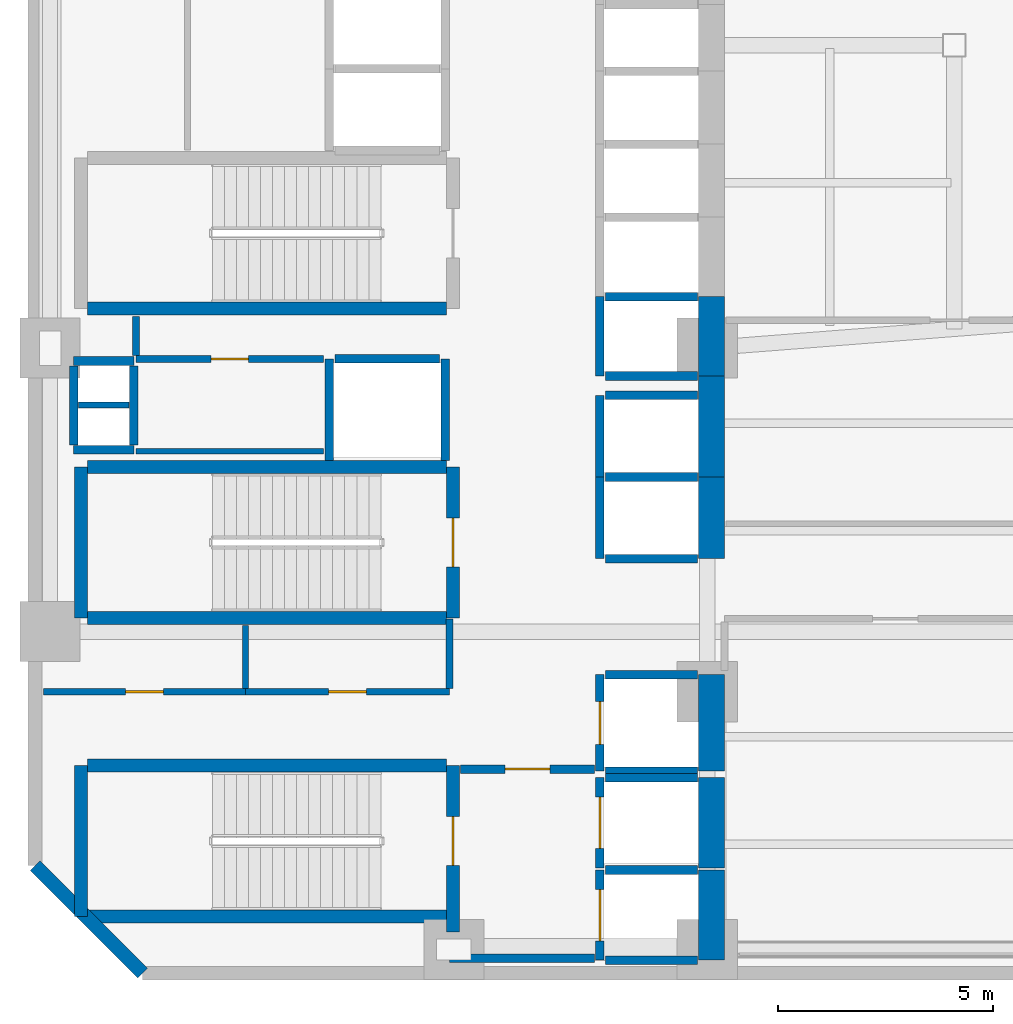
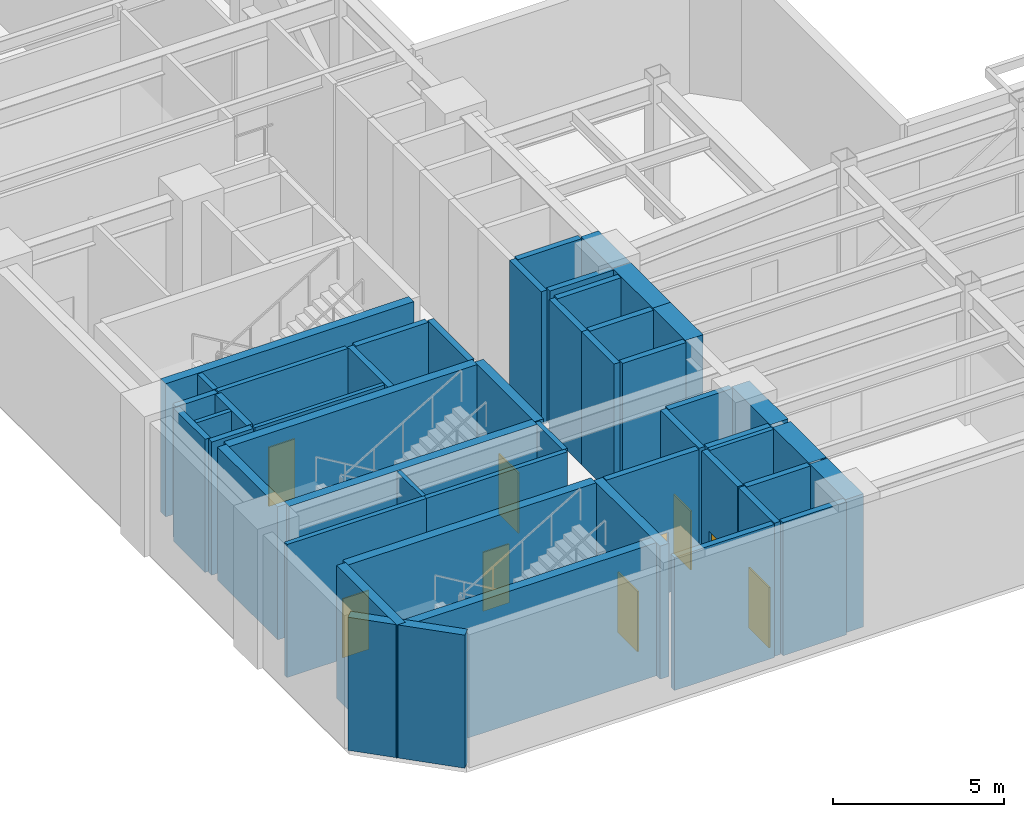
# One storey, part 3 of 7: 49 walls, 9 doors, 9 openings.
"""IFC4 building model written with IfcOpenShell, lengths in metres."""

from ifc_helpers import new_model, si_unit, direction, frame, frame_2d, origin, place, context, subcontext, project, spatial, rectangle, extrude, material, layer, layer_set, type_object, element, fill, save


model = new_model("IFC4")

# Units and contexts
model_context = context("Model", 3, precision=1e-05, world=origin(), true_north=direction((0.0, 1.0)))
body_context = subcontext(model_context, "Body", "Model", "MODEL_VIEW")
ifc_project = project(units=[si_unit("LENGTHUNIT", "METRE"), si_unit("AREAUNIT", "SQUARE_METRE"), si_unit("VOLUMEUNIT", "CUBIC_METRE"), si_unit("PLANEANGLEUNIT", "RADIAN"), si_unit("MASSUNIT", "GRAM", prefix="KILO")], contexts=[model_context])

# Site, building, storey
site_placement = place(None, origin())
site = spatial("IfcSite", under=ifc_project, at=site_placement, CompositionType="ELEMENT")
building_placement = place(site_placement, origin())
building = spatial("IfcBuilding", under=site, at=building_placement, Name="Mawjaban Terraces University", CompositionType="ELEMENT")
storey_placement = place(building_placement, frame((0.0, 0.0, 93.39990234375)))
storey = spatial("IfcBuildingStorey", under=building, at=storey_placement, Name="L22", CompositionType="ELEMENT", Elevation=93.39990234375)

# Walls
ifc_material_1 = material(Name="Concrete C70/85", Category="concrete")
ifc_layer_1 = layer(ifc_material_1, 0.60009765625)
ifc_layer_set_1 = layer_set([ifc_layer_1], Name="Concrete C70/85")
wall_type_1 = type_object("IfcWallType", Name="CoreShearWall_600", PredefinedType="SHEAR", material=ifc_layer_set_1)
wall_1_placement = place(storey_placement, frame((37.75, 0.300048828125, 0.0), z_axis=(0.0, 0.0, 1.0), x_axis=(0.0, 1.0, 0.0)))
element("IfcWall", 1, at=wall_1_placement, inside=storey, type_object=wall_type_1, Name="L22 Lift FL-1 Hoistway Wall East", PredefinedType="SHEAR", context=body_context, shape_type="SweptSolid", body=[
    extrude(rectangle(XDim=2.099853515625, YDim=0.60009765625, at=frame_2d((1.0498046875, 0.0))), origin(), (0.0, 0.0, 1.0), 4.739990234375),
])
wall_2_placement = place(storey_placement, frame((37.75, 2.449951171875, 0.0), z_axis=(0.0, 0.0, 1.0), x_axis=(0.0, 1.0, 0.0)))
element("IfcWall", 2, at=wall_2_placement, inside=storey, type_object=wall_type_1, Name="L22 Lift FL-2 Hoistway Wall East", PredefinedType="SHEAR", context=body_context, shape_type="SweptSolid", body=[
    extrude(rectangle(XDim=2.10009765625, YDim=0.60009765625, at=frame_2d((1.050048828125, 0.0))), origin(), (0.0, 0.0, 1.0), 4.739990234375),
])
wall_3_placement = place(storey_placement, frame((37.75, 4.699951171875, 0.0), z_axis=(0.0, 0.0, 1.0), x_axis=(0.0, 1.0, 0.0)))
element("IfcWall", 3, at=wall_3_placement, inside=storey, type_object=wall_type_1, Name="L22 Lift SL-1 Hoistway Wall East", PredefinedType="SHEAR", context=body_context, shape_type="SweptSolid", body=[
    extrude(rectangle(XDim=2.25, YDim=0.60009765625, at=frame_2d((1.125, 0.0))), origin(), (0.0, 0.0, 1.0), 4.739990234375),
])
wall_4_placement = place(storey_placement, frame((37.75, 9.64990234375, 0.0), z_axis=(0.0, 0.0, 1.0), x_axis=(0.0, 1.0, 0.0)))
element("IfcWall", 4, at=wall_4_placement, inside=storey, type_object=wall_type_1, Name="L22 Lift PL-H1 Hoistway Wall East", PredefinedType="SHEAR", context=body_context, shape_type="SweptSolid", body=[
    extrude(rectangle(XDim=1.900146484375, YDim=0.60009765625, at=frame_2d((0.9501953125, 0.0))), origin(), (0.0, 0.0, 1.0), 4.739990234375),
])
wall_5_placement = place(storey_placement, frame((37.75, 11.550048828125, 0.0), z_axis=(0.0, 0.0, 1.0), x_axis=(0.0, 1.0, 0.0)))
element("IfcWall", 5, at=wall_5_placement, inside=storey, type_object=wall_type_1, Name="L22 Lift PL-H2 Hoistway Wall East", PredefinedType="SHEAR", context=body_context, shape_type="SweptSolid", body=[
    extrude(rectangle(XDim=2.349853515625, YDim=0.60009765625, at=frame_2d((1.1748046875, 0.0))), origin(), (0.0, 0.0, 1.0), 4.739990234375),
])
wall_6_placement = place(storey_placement, frame((37.75, 13.89990234375, 0.0), z_axis=(0.0, 0.0, 1.0), x_axis=(0.0, 1.0, 0.0)))
element("IfcWall", 6, at=wall_6_placement, inside=storey, type_object=wall_type_1, Name="L22 Lift OL-1 Hoistway Wall East", PredefinedType="SHEAR", context=body_context, shape_type="SweptSolid", body=[
    extrude(rectangle(XDim=1.85009765625, YDim=0.60009765625, at=frame_2d((0.925048828125, 0.0))), origin(), (0.0, 0.0, 1.0), 4.739990234375),
])

# Wall, opening, door
ifc_material_2 = material(Name="Fire-rated gypsum board on steel stud", Category="steel")
ifc_layer_2 = layer(ifc_material_2, 0.159912109375)
ifc_layer_set_2 = layer_set([ifc_layer_2], Name="Fire-rated gypsum board on steel stud")
wall_type_2 = type_object("IfcWallType", Name="CorridorPartition_160", PredefinedType="PARTITIONING", material=ifc_layer_set_2)
wall_7_placement = place(storey_placement, frame((24.35009765625, 14.300048828125, 0.0), z_axis=(0.0, 0.0, 1.0), x_axis=(1.0, 0.0, 0.0)))
wall_7 = element("IfcWall", 7, at=wall_7_placement, inside=storey, type_object=wall_type_2, Name="L22 Core Riser Access Passage Partition 2", PredefinedType="PARTITIONING", context=body_context, shape_type="SweptSolid", body=[
    extrude(rectangle(XDim=4.369873046875, YDim=0.159912109375, at=frame_2d((2.18505859375, 0.0))), origin(), (0.0, 0.0, 1.0), 4.739990234375),
])
opening_1_placement = place(wall_7_placement, frame((1.7451171875, 0.0, 0.0)))
opening_1 = element("IfcOpeningElement", 8, at=opening_1_placement, cuts=wall_7, Name="Opening ID-088", PredefinedType="OPENING", context=body_context, shape_type="SweptSolid", body=[
    extrude(rectangle(XDim=0.8798828125, YDim=2.10009765625, at=frame_2d((0.43994140625, 1.050048828125))), frame((0.0, 0.08984375, 0.0), z_axis=(0.0, -1.0, 0.0), x_axis=(1.0, 0.0, 0.0)), (0.0, 0.0, 1.0), 0.179931640625),
])
ifc_material_3 = material(Name="Powder-coated steel frame and solid acoustic timber leaf", Category="steel")
door_type_1 = type_object("IfcDoorType", Name="ToiletDoor_880x2100", OperationType="NOTDEFINED", PredefinedType="DOOR", material=ifc_material_3)
door_1_placement = place(opening_1_placement, origin())
door_1 = element("IfcDoor", 9, at=door_1_placement, inside=storey, type_object=door_type_1, Name="L22 Ablution Room Door", OperationType="SINGLE_SWING_LEFT", OverallHeight=2.10009765625, OverallWidth=0.8798828125, PredefinedType="DOOR", context=body_context, shape_type="SweptSolid", body=[
    extrude(rectangle(XDim=0.8798828125, YDim=2.10009765625, at=frame_2d((0.43994140625, 1.050048828125))), frame((0.0, 0.02490234375, 0.0), z_axis=(0.0, -1.0, 0.0), x_axis=(1.0, 0.0, 0.0)), (0.0, 0.0, 1.0), 0.050048828125),
])
fill(opening_1, door_1)

wall_8_placement = place(storey_placement, frame((26.89990234375, 6.550048828125, 0.0), z_axis=(0.0, 0.0, 1.0), x_axis=(-1.0, 0.0, 0.0)))
wall_8 = element("IfcWall", 10, at=wall_8_placement, inside=storey, type_object=wall_type_2, Name="L22 Core Washroom Lobby Partition 4", PredefinedType="PARTITIONING", context=body_context, shape_type="SweptSolid", body=[
    extrude(rectangle(XDim=4.699951171875, YDim=0.159912109375, at=frame_2d((2.35009765625, 0.0))), origin(), (0.0, 0.0, 1.0), 4.739990234375),
])
opening_2_placement = place(wall_8_placement, frame((1.909912109375, 0.0, 0.0)))
opening_2 = element("IfcOpeningElement", 11, at=opening_2_placement, cuts=wall_8, Name="Opening ID-088", PredefinedType="OPENING", context=body_context, shape_type="SweptSolid", body=[
    extrude(rectangle(XDim=0.8798828125, YDim=2.10009765625, at=frame_2d((0.43994140625, 1.050048828125))), frame((0.0, 0.08984375, 0.0), z_axis=(0.0, -1.0, 0.0), x_axis=(1.0, 0.0, 0.0)), (0.0, 0.0, 1.0), 0.179931640625),
])
door_2_placement = place(opening_2_placement, origin())
door_2 = element("IfcDoor", 12, at=door_2_placement, inside=storey, type_object=door_type_1, Name="L22 Male Toilet Door", OperationType="SINGLE_SWING_LEFT", OverallHeight=2.10009765625, OverallWidth=0.8798828125, PredefinedType="DOOR", context=body_context, shape_type="SweptSolid", body=[
    extrude(rectangle(XDim=0.8798828125, YDim=2.10009765625, at=frame_2d((0.43994140625, 1.050048828125))), frame((0.0, 0.02490234375, 0.0), z_axis=(0.0, -1.0, 0.0), x_axis=(1.0, 0.0, 0.0)), (0.0, 0.0, 1.0), 0.050048828125),
])
fill(opening_2, door_2)

wall_9_placement = place(storey_placement, frame((31.64990234375, 6.550048828125, 0.0), z_axis=(0.0, 0.0, 1.0), x_axis=(-1.0, 0.0, 0.0)))
wall_9 = element("IfcWall", 13, at=wall_9_placement, inside=storey, type_object=wall_type_2, Name="L22 Core Washroom Lobby Partition 8", PredefinedType="PARTITIONING", context=body_context, shape_type="SweptSolid", body=[
    extrude(rectangle(XDim=4.75, YDim=0.159912109375, at=frame_2d((2.375, 0.0))), origin(), (0.0, 0.0, 1.0), 4.739990234375),
])
opening_3_placement = place(wall_9_placement, frame((1.93505859375, 0.0, 0.0)))
opening_3 = element("IfcOpeningElement", 14, at=opening_3_placement, cuts=wall_9, Name="Opening ID-088", PredefinedType="OPENING", context=body_context, shape_type="SweptSolid", body=[
    extrude(rectangle(XDim=0.8798828125, YDim=2.10009765625, at=frame_2d((0.43994140625, 1.050048828125))), frame((0.0, 0.08984375, 0.0), z_axis=(0.0, -1.0, 0.0), x_axis=(1.0, 0.0, 0.0)), (0.0, 0.0, 1.0), 0.179931640625),
])
door_3_placement = place(opening_3_placement, origin())
door_3 = element("IfcDoor", 15, at=door_3_placement, inside=storey, type_object=door_type_1, Name="L22 Accessible Toilet Door", OperationType="SINGLE_SWING_RIGHT", OverallHeight=2.10009765625, OverallWidth=0.8798828125, PredefinedType="DOOR", context=body_context, shape_type="SweptSolid", body=[
    extrude(rectangle(XDim=0.8798828125, YDim=2.10009765625, at=frame_2d((0.43994140625, 1.050048828125))), frame((0.0, 0.02490234375, 0.0), z_axis=(0.0, -1.0, 0.0), x_axis=(1.0, 0.0, 0.0)), (0.0, 0.0, 1.0), 0.050048828125),
])
fill(opening_3, door_3)

# Walls
wall_10_placement = place(storey_placement, frame((24.35009765625, 15.2900390625, 0.0), z_axis=(0.0, 0.0, 1.0), x_axis=(0.0, -1.0, 0.0)))
element("IfcWall", 16, at=wall_10_placement, inside=storey, type_object=wall_type_2, Name="L22 Core Riser Access Passage Partition 19", PredefinedType="PARTITIONING", context=body_context, shape_type="SweptSolid", body=[
    extrude(rectangle(XDim=0.9150390625, YDim=0.159912109375, at=frame_2d((0.45751953125, 0.0))), origin(), (0.0, 0.0, 1.0), 4.739990234375),
])
wall_11_placement = place(storey_placement, frame((31.64990234375, 8.239990234375, 0.0), z_axis=(0.0, 0.0, 1.0), x_axis=(0.0, -1.0, 0.0)))
element("IfcWall", 17, at=wall_11_placement, inside=storey, type_object=wall_type_2, Name="L22 Passenger Lift Lobby Partition 23", PredefinedType="PARTITIONING", context=body_context, shape_type="SweptSolid", body=[
    extrude(rectangle(XDim=1.614990234375, YDim=0.159912109375, at=frame_2d((0.8076171875, 0.0))), origin(), (0.0, 0.0, 1.0), 4.739990234375),
])
ifc_material_4 = material(Name="Insulated terracotta rainscreen on concrete backup C40/50", Category="masonry")
ifc_layer_3 = layer(ifc_material_4, 0.320068359375)
ifc_layer_set_3 = layer_set([ifc_layer_3], Name="Insulated terracotta rainscreen on concrete backup C40/50")
wall_type_3 = type_object("IfcWallType", Name="ExtTerracottaWall_320", PredefinedType="SOLIDWALL", material=ifc_layer_set_3)
wall_12_placement = place(storey_placement, frame((22.0, 2.5, 0.0), z_axis=(0.0, 0.0, 1.0), x_axis=(0.707106781187, -0.707106781187, 0.0)))
element("IfcWall", 18, at=wall_12_placement, inside=storey, type_object=wall_type_3, Name="L22 Exterior Terracotta Wall 14", PredefinedType="SOLIDWALL", context=body_context, shape_type="SweptSolid", body=[
    extrude(rectangle(XDim=3.53564453125, YDim=0.320068359375, at=frame_2d((1.767822265625, 0.0))), origin(), (0.0, 0.0, 1.0), 4.739990234375),
])

# Wall, opening, door
ifc_material_5 = material(Name="Concrete C40/50", Category="concrete")
ifc_layer_4 = layer(ifc_material_5, 0.199951171875)
ifc_layer_set_4 = layer_set([ifc_layer_4], Name="Concrete C40/50")
wall_type_4 = type_object("IfcWallType", Name="FireLobbyWall_200", PredefinedType="SOLIDWALL", material=ifc_layer_set_4)
wall_13_placement = place(storey_placement, frame((35.14990234375, 2.39990234375, 0.0), z_axis=(0.0, 0.0, 1.0), x_axis=(0.0, -1.0, 0.0)))
wall_13 = element("IfcWall", 19, at=wall_13_placement, inside=storey, type_object=wall_type_4, Name="L22 Lift FL-1 Hoistway Wall West", PredefinedType="SOLIDWALL", context=body_context, shape_type="SweptSolid", body=[
    extrude(rectangle(XDim=2.099853515625, YDim=0.199951171875, at=frame_2d((1.0498046875, 0.0))), origin(), (0.0, 0.0, 1.0), 4.739990234375),
])
opening_4_placement = place(wall_13_placement, frame((0.449951171875, 0.0, 0.0)))
opening_4 = element("IfcOpeningElement", 20, at=opening_4_placement, cuts=wall_13, Name="Opening LD-FL-1", PredefinedType="OPENING", context=body_context, shape_type="SweptSolid", body=[
    extrude(rectangle(XDim=1.199951171875, YDim=2.14990234375, at=frame_2d((0.60009765625, 1.074951171875))), frame((0.0, 0.10986328125, 0.0), z_axis=(0.0, -1.0, 0.0), x_axis=(1.0, 0.0, 0.0)), (0.0, 0.0, 1.0), 0.219970703125),
])
ifc_material_6 = material(Name="Powder-coated steel frame and fire-rated steel-faced leaf", Category="steel")
door_type_2 = type_object("IfcDoorType", Name="LiftLandingFSAE_1200x2150", OperationType="NOTDEFINED", PredefinedType="DOOR", material=ifc_material_6)
door_4_placement = place(opening_4_placement, origin())
door_4 = element("IfcDoor", 21, at=door_4_placement, inside=storey, type_object=door_type_2, Name="L22 Lift FL-1 Sliding Landing Door", OperationType="DOUBLE_DOOR_SLIDING", OverallHeight=2.14990234375, OverallWidth=1.199951171875, PredefinedType="DOOR", context=body_context, shape_type="SweptSolid", body=[
    extrude(rectangle(XDim=1.199951171875, YDim=2.14990234375, at=frame_2d((0.60009765625, 1.074951171875))), frame((0.0, 0.02490234375, 0.0), z_axis=(0.0, -1.0, 0.0), x_axis=(1.0, 0.0, 0.0)), (0.0, 0.0, 1.0), 0.050048828125),
])
fill(opening_4, door_4)

# Walls
for number, where, z_axis, x_axis, name in (
    (22, (35.280029296875, 0.300048828125, 0.0), (0.0, 0.0, 1.0), (1.0, 0.0, 0.0), "L22 Lift FL-1 Hoistway Wall South"),
    (23, (37.419921875, 2.39990234375, 0.0), (0.0, 0.0, 1.0), (-1.0, 0.0, 0.0), "L22 Lift FL-1 Hoistway Wall North"),
):
    element("IfcWall", number, at=place(storey_placement, frame(where, z_axis=z_axis, x_axis=x_axis)), inside=storey, type_object=wall_type_4, Name=name, PredefinedType="SOLIDWALL", context=body_context, shape_type="SweptSolid", body=[
        extrude(rectangle(XDim=2.139892578125, YDim=0.199951171875, at=frame_2d((1.06982421875, 0.0))), origin(), (0.0, 0.0, 1.0), 4.739990234375),
    ])

# Wall, opening, door
wall_14_placement = place(storey_placement, frame((35.14990234375, 4.550048828125, 0.0), z_axis=(0.0, 0.0, 1.0), x_axis=(0.0, -1.0, 0.0)))
wall_14 = element("IfcWall", 24, at=wall_14_placement, inside=storey, type_object=wall_type_4, Name="L22 Lift FL-2 Hoistway Wall West", PredefinedType="SOLIDWALL", context=body_context, shape_type="SweptSolid", body=[
    extrude(rectangle(XDim=2.10009765625, YDim=0.199951171875, at=frame_2d((1.050048828125, 0.0))), origin(), (0.0, 0.0, 1.0), 4.739990234375),
])
opening_5_placement = place(wall_14_placement, frame((0.449951171875, 0.0, 0.0)))
opening_5 = element("IfcOpeningElement", 25, at=opening_5_placement, cuts=wall_14, Name="Opening LD-FL-2", PredefinedType="OPENING", context=body_context, shape_type="SweptSolid", body=[
    extrude(rectangle(XDim=1.199951171875, YDim=2.14990234375, at=frame_2d((0.60009765625, 1.074951171875))), frame((0.0, 0.10986328125, 0.0), z_axis=(0.0, -1.0, 0.0), x_axis=(1.0, 0.0, 0.0)), (0.0, 0.0, 1.0), 0.219970703125),
])
door_5_placement = place(opening_5_placement, origin())
door_5 = element("IfcDoor", 26, at=door_5_placement, inside=storey, type_object=door_type_2, Name="L22 Lift FL-2 Sliding Landing Door", OperationType="DOUBLE_DOOR_SLIDING", OverallHeight=2.14990234375, OverallWidth=1.199951171875, PredefinedType="DOOR", context=body_context, shape_type="SweptSolid", body=[
    extrude(rectangle(XDim=1.199951171875, YDim=2.14990234375, at=frame_2d((0.60009765625, 1.074951171875))), frame((0.0, 0.02490234375, 0.0), z_axis=(0.0, -1.0, 0.0), x_axis=(1.0, 0.0, 0.0)), (0.0, 0.0, 1.0), 0.050048828125),
])
fill(opening_5, door_5)

# Wall
wall_15_placement = place(storey_placement, frame((37.419921875, 4.550048828125, 0.0), z_axis=(0.0, 0.0, 1.0), x_axis=(-1.0, 0.0, 0.0)))
element("IfcWall", 27, at=wall_15_placement, inside=storey, type_object=wall_type_4, Name="L22 Lift FL-2 Hoistway Wall North", PredefinedType="SOLIDWALL", context=body_context, shape_type="SweptSolid", body=[
    extrude(rectangle(XDim=2.139892578125, YDim=0.199951171875, at=frame_2d((1.06982421875, 0.0))), origin(), (0.0, 0.0, 1.0), 4.739990234375),
])

# Wall, opening, door
wall_16_placement = place(storey_placement, frame((35.14990234375, 6.949951171875, 0.0), z_axis=(0.0, 0.0, 1.0), x_axis=(0.0, -1.0, 0.0)))
wall_16 = element("IfcWall", 28, at=wall_16_placement, inside=storey, type_object=wall_type_4, Name="L22 Lift SL-1 Hoistway Wall West", PredefinedType="SOLIDWALL", context=body_context, shape_type="SweptSolid", body=[
    extrude(rectangle(XDim=2.25, YDim=0.199951171875, at=frame_2d((1.125, 0.0))), origin(), (0.0, 0.0, 1.0), 4.739990234375),
])
opening_6_placement = place(wall_16_placement, frame((0.625, 0.0, 0.0)))
opening_6 = element("IfcOpeningElement", 29, at=opening_6_placement, cuts=wall_16, Name="Opening LD-SL-1", PredefinedType="OPENING", context=body_context, shape_type="SweptSolid", body=[
    extrude(rectangle(XDim=1.0, YDim=2.10009765625, at=frame_2d((0.5, 1.050048828125))), frame((0.0, 0.10986328125, 0.0), z_axis=(0.0, -1.0, 0.0), x_axis=(1.0, 0.0, 0.0)), (0.0, 0.0, 1.0), 0.219970703125),
])
door_type_3 = type_object("IfcDoorType", Name="LiftLandingSliding_1000x2100", OperationType="NOTDEFINED", PredefinedType="DOOR", material=ifc_material_6)
door_6_placement = place(opening_6_placement, origin())
door_6 = element("IfcDoor", 30, at=door_6_placement, inside=storey, type_object=door_type_3, Name="L22 Lift SL-1 Sliding Landing Door", OperationType="DOUBLE_DOOR_SLIDING", OverallHeight=2.10009765625, OverallWidth=1.0, PredefinedType="DOOR", context=body_context, shape_type="SweptSolid", body=[
    extrude(rectangle(XDim=1.0, YDim=2.10009765625, at=frame_2d((0.5, 1.050048828125))), frame((0.0, 0.02490234375, 0.0), z_axis=(0.0, -1.0, 0.0), x_axis=(1.0, 0.0, 0.0)), (0.0, 0.0, 1.0), 0.050048828125),
])
fill(opening_6, door_6)

# Walls
for number, where, z_axis, x_axis, name in (
    (31, (35.280029296875, 4.699951171875, 0.0), (0.0, 0.0, 1.0), (1.0, 0.0, 0.0), "L22 Lift SL-1 Hoistway Wall South"),
    (32, (37.419921875, 6.949951171875, 0.0), (0.0, 0.0, 1.0), (-1.0, 0.0, 0.0), "L22 Lift SL-1 Hoistway Wall North"),
):
    element("IfcWall", number, at=place(storey_placement, frame(where, z_axis=z_axis, x_axis=x_axis)), inside=storey, type_object=wall_type_4, Name=name, PredefinedType="SOLIDWALL", context=body_context, shape_type="SweptSolid", body=[
        extrude(rectangle(XDim=2.139892578125, YDim=0.199951171875, at=frame_2d((1.06982421875, 0.0))), origin(), (0.0, 0.0, 1.0), 4.739990234375),
    ])
wall_17_placement = place(storey_placement, frame((35.14990234375, 11.550048828125, 0.0), z_axis=(0.0, 0.0, 1.0), x_axis=(0.0, -1.0, 0.0)))
element("IfcWall", 33, at=wall_17_placement, inside=storey, type_object=wall_type_4, Name="L22 Lift PL-H1 Hoistway Wall West", PredefinedType="SOLIDWALL", context=body_context, shape_type="SweptSolid", body=[
    extrude(rectangle(XDim=1.900146484375, YDim=0.199951171875, at=frame_2d((0.9501953125, 0.0))), origin(), (0.0, 0.0, 1.0), 4.739990234375),
])
for number, where, z_axis, x_axis, name in (
    (34, (35.280029296875, 9.64990234375, 0.0), (0.0, 0.0, 1.0), (1.0, 0.0, 0.0), "L22 Lift PL-H1 Hoistway Wall South"),
    (35, (37.419921875, 11.550048828125, 0.0), (0.0, 0.0, 1.0), (-1.0, 0.0, 0.0), "L22 Lift PL-H1 Hoistway Wall North"),
):
    element("IfcWall", number, at=place(storey_placement, frame(where, z_axis=z_axis, x_axis=x_axis)), inside=storey, type_object=wall_type_4, Name=name, PredefinedType="SOLIDWALL", context=body_context, shape_type="SweptSolid", body=[
        extrude(rectangle(XDim=2.139892578125, YDim=0.199951171875, at=frame_2d((1.06982421875, 0.0))), origin(), (0.0, 0.0, 1.0), 4.739990234375),
    ])
wall_18_placement = place(storey_placement, frame((35.14990234375, 13.449951171875, 0.0), z_axis=(0.0, 0.0, 1.0), x_axis=(0.0, -1.0, 0.0)))
element("IfcWall", 36, at=wall_18_placement, inside=storey, type_object=wall_type_4, Name="L22 Lift PL-H2 Hoistway Wall West", PredefinedType="SOLIDWALL", context=body_context, shape_type="SweptSolid", body=[
    extrude(rectangle(XDim=1.89990234375, YDim=0.199951171875, at=frame_2d((0.949951171875, 0.0))), origin(), (0.0, 0.0, 1.0), 4.739990234375),
])
wall_19_placement = place(storey_placement, frame((37.419921875, 13.449951171875, 0.0), z_axis=(0.0, 0.0, 1.0), x_axis=(-1.0, 0.0, 0.0)))
element("IfcWall", 37, at=wall_19_placement, inside=storey, type_object=wall_type_4, Name="L22 Lift PL-H2 Hoistway Wall North", PredefinedType="SOLIDWALL", context=body_context, shape_type="SweptSolid", body=[
    extrude(rectangle(XDim=2.139892578125, YDim=0.199951171875, at=frame_2d((1.06982421875, 0.0))), origin(), (0.0, 0.0, 1.0), 4.739990234375),
])
for number, where, z_axis, x_axis, name in (
    (38, (28.85009765625, 14.300048828125, 0.0), (0.0, 0.0, 1.0), (0.0, -1.0, 0.0), "L22 Lift PL-H3 Hoistway Wall West"),
    (39, (31.550048828125, 11.929931640625, 0.0), (0.0, 0.0, 1.0), (0.0, 1.0, 0.0), "L22 Lift PL-H3 Hoistway Wall East"),
):
    element("IfcWall", number, at=place(storey_placement, frame(where, z_axis=z_axis, x_axis=x_axis)), inside=storey, type_object=wall_type_4, Name=name, PredefinedType="SOLIDWALL", context=body_context, shape_type="SweptSolid", body=[
        extrude(rectangle(XDim=2.3701171875, YDim=0.199951171875, at=frame_2d((1.18505859375, 0.0))), origin(), (0.0, 0.0, 1.0), 4.739990234375),
    ])
wall_20_placement = place(storey_placement, frame((31.419921875, 14.300048828125, 0.0), z_axis=(0.0, 0.0, 1.0), x_axis=(-1.0, 0.0, 0.0)))
element("IfcWall", 40, at=wall_20_placement, inside=storey, type_object=wall_type_4, Name="L22 Lift PL-H3 Hoistway Wall North", PredefinedType="SOLIDWALL", context=body_context, shape_type="SweptSolid", body=[
    extrude(rectangle(XDim=2.43994140625, YDim=0.199951171875, at=frame_2d((1.219970703125, 0.0))), origin(), (0.0, 0.0, 1.0), 4.739990234375),
])
wall_21_placement = place(storey_placement, frame((35.14990234375, 15.75, 0.0), z_axis=(0.0, 0.0, 1.0), x_axis=(0.0, -1.0, 0.0)))
element("IfcWall", 41, at=wall_21_placement, inside=storey, type_object=wall_type_4, Name="L22 Lift OL-1 Hoistway Wall West", PredefinedType="SOLIDWALL", context=body_context, shape_type="SweptSolid", body=[
    extrude(rectangle(XDim=1.85009765625, YDim=0.199951171875, at=frame_2d((0.925048828125, 0.0))), origin(), (0.0, 0.0, 1.0), 4.739990234375),
])
for number, where, z_axis, x_axis, name in (
    (42, (35.280029296875, 13.89990234375, 0.0), (0.0, 0.0, 1.0), (1.0, 0.0, 0.0), "L22 Lift OL-1 Hoistway Wall South"),
    (43, (37.419921875, 15.75, 0.0), (0.0, 0.0, 1.0), (-1.0, 0.0, 0.0), "L22 Lift OL-1 Hoistway Wall North"),
):
    element("IfcWall", number, at=place(storey_placement, frame(where, z_axis=z_axis, x_axis=x_axis)), inside=storey, type_object=wall_type_4, Name=name, PredefinedType="SOLIDWALL", context=body_context, shape_type="SweptSolid", body=[
        extrude(rectangle(XDim=2.139892578125, YDim=0.199951171875, at=frame_2d((1.06982421875, 0.0))), origin(), (0.0, 0.0, 1.0), 4.739990234375),
    ])
for number, where, z_axis, x_axis, name in (
    (44, (22.89990234375, 14.25, 0.0), (0.0, 0.0, 1.0), (1.0, 0.0, 0.0), "L22 MEP Riser Shaft Wall N"),
    (45, (22.89990234375, 12.179931640625, 0.0), (0.0, 0.0, 1.0), (1.0, 0.0, 0.0), "L22 MEP Riser Shaft Wall S"),
):
    element("IfcWall", number, at=place(storey_placement, frame(where, z_axis=z_axis, x_axis=x_axis)), inside=storey, type_object=wall_type_4, Name=name, PredefinedType="SOLIDWALL", context=body_context, shape_type="SweptSolid", body=[
        extrude(rectangle(XDim=1.400146484375, YDim=0.199951171875, at=frame_2d((0.7001953125, 0.0))), origin(), (0.0, 0.0, 1.0), 4.739990234375),
    ])
for number, where, z_axis, x_axis, name in (
    (46, (24.300048828125, 12.300048828125, 0.0), (0.0, 0.0, 1.0), (0.0, 1.0, 0.0), "L22 MEP Riser Shaft Wall E"),
    (47, (22.89990234375, 12.300048828125, 0.0), (0.0, 0.0, 1.0), (0.0, 1.0, 0.0), "L22 MEP Riser Shaft Wall W"),
):
    element("IfcWall", number, at=place(storey_placement, frame(where, z_axis=z_axis, x_axis=x_axis)), inside=storey, type_object=wall_type_4, Name=name, PredefinedType="SOLIDWALL", context=body_context, shape_type="SweptSolid", body=[
        extrude(rectangle(XDim=1.829833984375, YDim=0.199951171875, at=frame_2d((0.9150390625, 0.0))), origin(), (0.0, 0.0, 1.0), 4.739990234375),
    ])
wall_22_placement = place(storey_placement, frame((31.64990234375, 0.35009765625, 0.0), z_axis=(0.0, 0.0, 1.0), x_axis=(1.0, 0.0, 0.0)))
element("IfcWall", 48, at=wall_22_placement, inside=storey, type_object=wall_type_4, Name="L22 Firefighting Lift Lobby Partition 7", PredefinedType="SOLIDWALL", context=body_context, shape_type="SweptSolid", body=[
    extrude(rectangle(XDim=3.3701171875, YDim=0.199951171875, at=frame_2d((1.68505859375, 0.0))), origin(), (0.0, 0.0, 1.0), 4.739990234375),
])

# Wall, opening, door
wall_23_placement = place(storey_placement, frame((35.02001953125, 4.75, 0.0), z_axis=(0.0, 0.0, 1.0), x_axis=(-1.0, 0.0, 0.0)))
wall_23 = element("IfcWall", 49, at=wall_23_placement, inside=storey, type_object=wall_type_4, Name="L22 Firefighting Lift Lobby Partition 11", PredefinedType="SOLIDWALL", context=body_context, shape_type="SweptSolid", body=[
    extrude(rectangle(XDim=3.110107421875, YDim=0.199951171875, at=frame_2d((1.55517578125, 0.0))), origin(), (0.0, 0.0, 1.0), 4.739990234375),
])
opening_7_placement = place(wall_23_placement, frame((1.030029296875, 0.0, 0.0)))
opening_7 = element("IfcOpeningElement", 50, at=opening_7_placement, cuts=wall_23, Name="Opening FD-105", PredefinedType="OPENING", context=body_context, shape_type="SweptSolid", body=[
    extrude(rectangle(XDim=1.050048828125, YDim=2.14990234375, at=frame_2d((0.52490234375, 1.074951171875))), frame((0.0, 0.10986328125, 0.0), z_axis=(0.0, -1.0, 0.0), x_axis=(1.0, 0.0, 0.0)), (0.0, 0.0, 1.0), 0.219970703125),
])
door_type_4 = type_object("IfcDoorType", Name="FireLobbyDoor_1050x2150", OperationType="NOTDEFINED", PredefinedType="DOOR", material=ifc_material_6)
door_7_placement = place(opening_7_placement, origin())
door_7 = element("IfcDoor", 51, at=door_7_placement, inside=storey, type_object=door_type_4, Name="L22 Firefighting Lift Lobby Door", OperationType="SINGLE_SWING_RIGHT", OverallHeight=2.14990234375, OverallWidth=1.050048828125, PredefinedType="DOOR", context=body_context, shape_type="SweptSolid", body=[
    extrude(rectangle(XDim=1.050048828125, YDim=2.14990234375, at=frame_2d((0.52490234375, 1.074951171875))), frame((0.0, 0.02490234375, 0.0), z_axis=(0.0, -1.0, 0.0), x_axis=(1.0, 0.0, 0.0)), (0.0, 0.0, 1.0), 0.050048828125),
])
fill(opening_7, door_7)

# Walls
ifc_material_7 = material(Name="Moisture-resistant gypsum board on steel stud", Category="steel")
ifc_layer_5 = layer(ifc_material_7, 0.14501953125)
ifc_layer_set_5 = layer_set([ifc_layer_5], Name="Moisture-resistant gypsum board on steel stud")
wall_type_5 = type_object("IfcWallType", Name="LabPartition_145", PredefinedType="PARTITIONING", material=ifc_layer_set_5)
wall_24_placement = place(storey_placement, frame((23.010009765625, 13.22509765625, 0.0), z_axis=(0.0, 0.0, 1.0), x_axis=(1.0, 0.0, 0.0)))
element("IfcWall", 52, at=wall_24_placement, inside=storey, type_object=wall_type_5, Name="L22 MEP Riser Shaft Wall M", PredefinedType="PARTITIONING", context=body_context, shape_type="SweptSolid", body=[
    extrude(rectangle(XDim=1.179931640625, YDim=0.14501953125, at=frame_2d((0.58984375, 0.0))), origin(), (0.0, 0.0, 1.0), 4.739990234375),
])
ifc_material_8 = material(Name="Concrete C60/75", Category="concrete")
ifc_layer_6 = layer(ifc_material_8, 0.300048828125)
ifc_layer_set_6 = layer_set([ifc_layer_6], Name="Concrete C60/75")
wall_type_6 = type_object("IfcWallType", Name="StairShaftWall_300", PredefinedType="SHEAR", material=ifc_layer_set_6)
wall_25_placement = place(storey_placement, frame((31.580078125, 4.830078125, 0.0), z_axis=(0.0, 0.0, 1.0), x_axis=(-1.0, 0.0, 0.0)))
element("IfcWall", 53, at=wall_25_placement, inside=storey, type_object=wall_type_6, Name="L22 ST-1 Stair Shaft Wall 1", PredefinedType="SHEAR", context=body_context, shape_type="SweptSolid", body=[
    extrude(rectangle(XDim=8.360107421875, YDim=0.300048828125, at=frame_2d((4.18017578125, 0.0))), origin(), (0.0, 0.0, 1.0), 4.739990234375),
])
wall_26_placement = place(storey_placement, frame((23.070068359375, 4.830078125, 0.0), z_axis=(0.0, 0.0, 1.0), x_axis=(0.0, -1.0, 0.0)))
element("IfcWall", 54, at=wall_26_placement, inside=storey, type_object=wall_type_6, Name="L22 ST-1 Stair Shaft Wall 2", PredefinedType="SHEAR", context=body_context, shape_type="SweptSolid", body=[
    extrude(rectangle(XDim=3.510009765625, YDim=0.300048828125, at=frame_2d((1.7548828125, 0.0))), origin(), (0.0, 0.0, 1.0), 4.739990234375),
])
wall_27_placement = place(storey_placement, frame((23.219970703125, 1.320068359375, 0.0), z_axis=(0.0, 0.0, 1.0), x_axis=(1.0, 0.0, 0.0)))
element("IfcWall", 55, at=wall_27_placement, inside=storey, type_object=wall_type_6, Name="L22 ST-1 Stair Shaft Wall 3", PredefinedType="SHEAR", context=body_context, shape_type="SweptSolid", body=[
    extrude(rectangle(XDim=8.360107421875, YDim=0.300048828125, at=frame_2d((4.18017578125, 0.0))), origin(), (0.0, 0.0, 1.0), 4.739990234375),
])

# Wall, opening, door
wall_28_placement = place(storey_placement, frame((31.72998046875, 0.9599609375, 0.0), z_axis=(0.0, 0.0, 1.0), x_axis=(0.0, 1.0, 0.0)))
wall_28 = element("IfcWall", 56, at=wall_28_placement, inside=storey, type_object=wall_type_6, Name="L22 ST-1 Stair Shaft Wall 4", PredefinedType="SHEAR", context=body_context, shape_type="SweptSolid", body=[
    extrude(rectangle(XDim=3.8701171875, YDim=0.300048828125, at=frame_2d((1.93505859375, 0.0))), origin(), (0.0, 0.0, 1.0), 4.739990234375),
])
opening_8_placement = place(wall_28_placement, frame((1.5400390625, 0.0, 0.0)))
opening_8 = element("IfcOpeningElement", 57, at=opening_8_placement, cuts=wall_28, Name="Opening FD-115", PredefinedType="OPENING", context=body_context, shape_type="SweptSolid", body=[
    extrude(rectangle(XDim=1.14990234375, YDim=2.14990234375, at=frame_2d((0.574951171875, 1.074951171875))), frame((0.0, 0.159912109375, 0.0), z_axis=(0.0, -1.0, 0.0), x_axis=(1.0, 0.0, 0.0)), (0.0, 0.0, 1.0), 0.320068359375),
])
door_type_5 = type_object("IfcDoorType", Name="FireStairDoor_1150x2150", OperationType="NOTDEFINED", PredefinedType="DOOR", material=ifc_material_6)
door_8_placement = place(opening_8_placement, origin())
door_8 = element("IfcDoor", 58, at=door_8_placement, inside=storey, type_object=door_type_5, Name="L22 ST-1 Pressurised Stair Fire Door", OperationType="SINGLE_SWING_LEFT", OverallHeight=2.14990234375, OverallWidth=1.14990234375, PredefinedType="DOOR", context=body_context, shape_type="SweptSolid", body=[
    extrude(rectangle(XDim=1.14990234375, YDim=2.14990234375, at=frame_2d((0.574951171875, 1.074951171875))), frame((0.0, 0.02490234375, 0.0), z_axis=(0.0, -1.0, 0.0), x_axis=(1.0, 0.0, 0.0)), (0.0, 0.0, 1.0), 0.050048828125),
])
fill(opening_8, door_8)

# Walls
for number, where, z_axis, x_axis, name in (
    (59, (23.219970703125, 15.469970703125, 0.0), (0.0, 0.0, 1.0), (1.0, 0.0, 0.0), "L22 ST-2 Stair Shaft Wall 3"),
    (60, (31.580078125, 11.780029296875, 0.0), (0.0, 0.0, 1.0), (-1.0, 0.0, 0.0), "L22 ST-3 Stair Shaft Wall 1"),
):
    element("IfcWall", number, at=place(storey_placement, frame(where, z_axis=z_axis, x_axis=x_axis)), inside=storey, type_object=wall_type_6, Name=name, PredefinedType="SHEAR", context=body_context, shape_type="SweptSolid", body=[
        extrude(rectangle(XDim=8.360107421875, YDim=0.300048828125, at=frame_2d((4.18017578125, 0.0))), origin(), (0.0, 0.0, 1.0), 4.739990234375),
    ])
wall_29_placement = place(storey_placement, frame((23.070068359375, 11.780029296875, 0.0), z_axis=(0.0, 0.0, 1.0), x_axis=(0.0, -1.0, 0.0)))
element("IfcWall", 61, at=wall_29_placement, inside=storey, type_object=wall_type_6, Name="L22 ST-3 Stair Shaft Wall 2", PredefinedType="SHEAR", context=body_context, shape_type="SweptSolid", body=[
    extrude(rectangle(XDim=3.510009765625, YDim=0.300048828125, at=frame_2d((1.7548828125, 0.0))), origin(), (0.0, 0.0, 1.0), 4.739990234375),
])
wall_30_placement = place(storey_placement, frame((23.219970703125, 8.27001953125, 0.0), z_axis=(0.0, 0.0, 1.0), x_axis=(1.0, 0.0, 0.0)))
element("IfcWall", 62, at=wall_30_placement, inside=storey, type_object=wall_type_6, Name="L22 ST-3 Stair Shaft Wall 3", PredefinedType="SHEAR", context=body_context, shape_type="SweptSolid", body=[
    extrude(rectangle(XDim=8.360107421875, YDim=0.300048828125, at=frame_2d((4.18017578125, 0.0))), origin(), (0.0, 0.0, 1.0), 4.739990234375),
])

# Wall, opening, door
wall_31_placement = place(storey_placement, frame((31.72998046875, 8.27001953125, 0.0), z_axis=(0.0, 0.0, 1.0), x_axis=(0.0, 1.0, 0.0)))
wall_31 = element("IfcWall", 63, at=wall_31_placement, inside=storey, type_object=wall_type_6, Name="L22 ST-3 Stair Shaft Wall 4", PredefinedType="SHEAR", context=body_context, shape_type="SweptSolid", body=[
    extrude(rectangle(XDim=3.510009765625, YDim=0.300048828125, at=frame_2d((1.7548828125, 0.0))), origin(), (0.0, 0.0, 1.0), 4.739990234375),
])
opening_9_placement = place(wall_31_placement, frame((1.179931640625, 0.0, 0.0)))
opening_9 = element("IfcOpeningElement", 64, at=opening_9_placement, cuts=wall_31, Name="Opening FD-115", PredefinedType="OPENING", context=body_context, shape_type="SweptSolid", body=[
    extrude(rectangle(XDim=1.14990234375, YDim=2.14990234375, at=frame_2d((0.574951171875, 1.074951171875))), frame((0.0, 0.159912109375, 0.0), z_axis=(0.0, -1.0, 0.0), x_axis=(1.0, 0.0, 0.0)), (0.0, 0.0, 1.0), 0.320068359375),
])
door_9_placement = place(opening_9_placement, origin())
door_9 = element("IfcDoor", 65, at=door_9_placement, inside=storey, type_object=door_type_5, Name="L22 ST-3 Pressurised Stair Fire Door", OperationType="SINGLE_SWING_LEFT", OverallHeight=2.14990234375, OverallWidth=1.14990234375, PredefinedType="DOOR", context=body_context, shape_type="SweptSolid", body=[
    extrude(rectangle(XDim=1.14990234375, YDim=2.14990234375, at=frame_2d((0.574951171875, 1.074951171875))), frame((0.0, 0.02490234375, 0.0), z_axis=(0.0, -1.0, 0.0), x_axis=(1.0, 0.0, 0.0)), (0.0, 0.0, 1.0), 0.050048828125),
])
fill(opening_9, door_9)

# Walls
ifc_material_9 = material(Name="Cement-board wet-room partition", Category="masonry")
ifc_layer_7 = layer(ifc_material_9, 0.135009765625)
ifc_layer_set_7 = layer_set([ifc_layer_7], Name="Cement-board wet-room partition")
wall_type_7 = type_object("IfcWallType", Name="WetRoomPartition_135", PredefinedType="PARTITIONING", material=ifc_layer_set_7)
wall_32_placement = place(storey_placement, frame((24.35009765625, 12.14990234375, 0.0), z_axis=(0.0, 0.0, 1.0), x_axis=(1.0, 0.0, 0.0)))
element("IfcWall", 66, at=wall_32_placement, inside=storey, type_object=wall_type_7, Name="L22 Ablution Room Partition 1", PredefinedType="PARTITIONING", context=body_context, shape_type="SweptSolid", body=[
    extrude(rectangle(XDim=4.369873046875, YDim=0.135009765625, at=frame_2d((2.18505859375, 0.0))), origin(), (0.0, 0.0, 1.0), 4.739990234375),
])
wall_33_placement = place(storey_placement, frame((26.89990234375, 6.625, 0.0), z_axis=(0.0, 0.0, 1.0), x_axis=(0.0, 1.0, 0.0)))
element("IfcWall", 67, at=wall_33_placement, inside=storey, type_object=wall_type_7, Name="L22 Male Toilet Partition 21", PredefinedType="PARTITIONING", context=body_context, shape_type="SweptSolid", body=[
    extrude(rectangle(XDim=1.465087890625, YDim=0.135009765625, at=frame_2d((0.732421875, 0.0))), origin(), (0.0, 0.0, 1.0), 4.739990234375),
])

save(model, "model.ifc")
